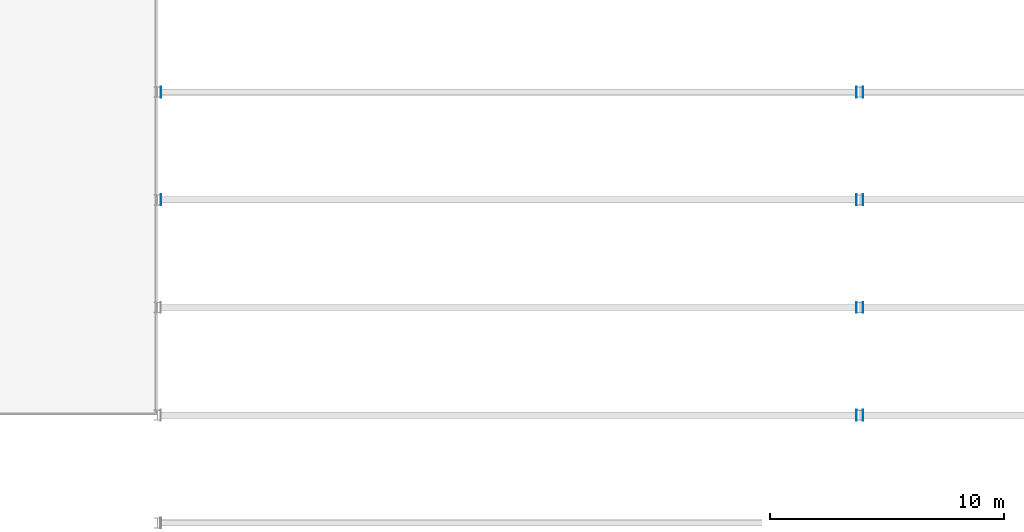
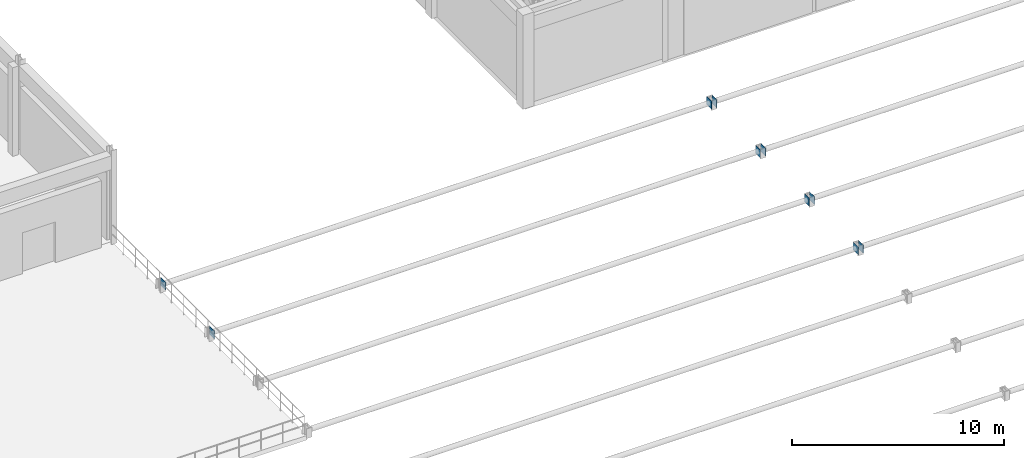
# One storey, part 25 of 38: 10 plates.
"""IFC4 building model written with IfcOpenShell, lengths in metres."""

from ifc_helpers import new_model, si_unit, direction, frame, origin, origin_2d, place, context, subcontext, project, spatial, rectangle, extrude, material, layer, layer_set, type_object, element, save


model = new_model("IFC4")

# Units and contexts
model_context = context("Model", 3, precision=1e-05, world=origin(), true_north=direction((0.0, 1.0)))
body_context = subcontext(model_context, "Body", "Model", "MODEL_VIEW")
ifc_project = project(units=[si_unit("LENGTHUNIT", "METRE"), si_unit("AREAUNIT", "SQUARE_METRE"), si_unit("VOLUMEUNIT", "CUBIC_METRE"), si_unit("PLANEANGLEUNIT", "RADIAN"), si_unit("MASSUNIT", "GRAM", prefix="KILO")], contexts=[model_context])

# Site, building, storey
site_placement = place(None, origin())
site = spatial("IfcSite", under=ifc_project, at=site_placement, CompositionType="ELEMENT")
building_placement = place(site_placement, origin())
building = spatial("IfcBuilding", under=site, at=building_placement, Name="Muzn Square Opera House", CompositionType="ELEMENT")
storey_placement = place(building_placement, frame((0.0, 0.0, 18.0)))
storey = spatial("IfcBuildingStorey", under=building, at=storey_placement, Name="L04", CompositionType="ELEMENT", Elevation=18.0)

# Plates
ifc_material = material(Name="Steel S355", Category="steel")
ifc_layer_1 = layer(ifc_material, 0.013916015625, Name="Steel S355", Category="steel")
ifc_layer_set_1 = layer_set([ifc_layer_1], Name="Steel S355")
plate_type_1 = type_object("IfcPlateType", Name="Gusset Plate 14mm 460x460", PredefinedType="USERDEFINED", material=ifc_layer_set_1)
plate_1_placement = place(storey_placement, frame((72.860107421875, 54.199951171875, 0.070068359375), z_axis=(0.0, 0.0, 1.0), x_axis=(1.0, 0.0, 0.0)))
element("IfcPlate", 1, at=plate_1_placement, inside=storey, type_object=plate_type_1, Name="Vault Tie End Gusset Plate V1-07-E", ObjectType="GUSSET PLATE", PredefinedType="USERDEFINED", context=body_context, shape_type="SweptSolid", body=[
    extrude(rectangle(XDim=0.013916015625, YDim=0.4599609375, at=origin_2d()), origin(), (0.0, 0.0, 1.0), 0.4599609375),
])
ifc_layer_2 = layer(ifc_material, 0.01611328125, Name="Steel S355", Category="steel")
ifc_layer_set_2 = layer_set([ifc_layer_2], Name="Steel S355")
plate_type_2 = type_object("IfcPlateType", Name="Gusset Plate 16mm 460x460", PredefinedType="USERDEFINED", material=ifc_layer_set_2)
for number, where, z_axis, x_axis, name in (
    (2, (72.860107421875, 58.800048828125, 0.070068359375), (0.0, 0.0, 1.0), (1.0, 0.0, 0.0), "Vault Tie End Gusset Plate V1-08-E"),
    (3, (73.139892578125, 54.199951171875, 0.070068359375), (0.0, 0.0, 1.0), (1.0, 0.0, 0.0), "Vault Tie End Gusset Plate V2-07-W"),
):
    element("IfcPlate", number, at=place(storey_placement, frame(where, z_axis=z_axis, x_axis=x_axis)), inside=storey, type_object=plate_type_2, Name=name, ObjectType="GUSSET PLATE", PredefinedType="USERDEFINED", context=body_context, shape_type="SweptSolid", body=[
        extrude(rectangle(XDim=0.01611328125, YDim=0.4599609375, at=origin_2d()), origin(), (0.0, 0.0, 1.0), 0.4599609375),
    ])
ifc_layer_3 = layer(ifc_material, 0.01806640625, Name="Steel S355", Category="steel")
ifc_layer_set_3 = layer_set([ifc_layer_3], Name="Steel S355")
plate_type_3 = type_object("IfcPlateType", Name="Gusset Plate 18mm 460x460", PredefinedType="USERDEFINED", material=ifc_layer_set_3)
for number, where, z_axis, x_axis, name in (
    (4, (43.139892578125, 63.39990234375, 0.070068359375), (0.0, 0.0, 1.0), (1.0, 0.0, 0.0), "Vault Tie End Gusset Plate V1-09-W"),
    (5, (72.860107421875, 63.39990234375, 0.070068359375), (0.0, 0.0, 1.0), (1.0, 0.0, 0.0), "Vault Tie End Gusset Plate V1-09-E"),
    (6, (73.139892578125, 58.800048828125, 0.070068359375), (0.0, 0.0, 1.0), (1.0, 0.0, 0.0), "Vault Tie End Gusset Plate V2-08-W"),
):
    element("IfcPlate", number, at=place(storey_placement, frame(where, z_axis=z_axis, x_axis=x_axis)), inside=storey, type_object=plate_type_3, Name=name, ObjectType="GUSSET PLATE", PredefinedType="USERDEFINED", context=body_context, shape_type="SweptSolid", body=[
        extrude(rectangle(XDim=0.01806640625, YDim=0.4599609375, at=origin_2d()), origin(), (0.0, 0.0, 1.0), 0.4599609375),
    ])
ifc_layer_4 = layer(ifc_material, 0.02001953125, Name="Steel S355", Category="steel")
ifc_layer_set_4 = layer_set([ifc_layer_4], Name="Steel S355")
plate_type_4 = type_object("IfcPlateType", Name="Gusset Plate 20mm 460x460", PredefinedType="USERDEFINED", material=ifc_layer_set_4)
for number, where, z_axis, x_axis, name in (
    (7, (43.139892578125, 68.0, 0.070068359375), (0.0, 0.0, 1.0), (1.0, 0.0, 0.0), "Vault Tie End Gusset Plate V1-10-W"),
    (8, (72.860107421875, 68.0, 0.070068359375), (0.0, 0.0, 1.0), (1.0, 0.0, 0.0), "Vault Tie End Gusset Plate V1-10-E"),
    (9, (73.139892578125, 63.39990234375, 0.070068359375), (0.0, 0.0, 1.0), (1.0, 0.0, 0.0), "Vault Tie End Gusset Plate V2-09-W"),
):
    element("IfcPlate", number, at=place(storey_placement, frame(where, z_axis=z_axis, x_axis=x_axis)), inside=storey, type_object=plate_type_4, Name=name, ObjectType="GUSSET PLATE", PredefinedType="USERDEFINED", context=body_context, shape_type="SweptSolid", body=[
        extrude(rectangle(XDim=0.02001953125, YDim=0.4599609375, at=origin_2d()), origin(), (0.0, 0.0, 1.0), 0.4599609375),
    ])
ifc_layer_5 = layer(ifc_material, 0.02392578125, Name="Steel S355", Category="steel")
ifc_layer_set_5 = layer_set([ifc_layer_5], Name="Steel S355")
plate_type_5 = type_object("IfcPlateType", Name="Gusset Plate 24mm 460x460", PredefinedType="USERDEFINED", material=ifc_layer_set_5)
plate_2_placement = place(storey_placement, frame((73.139892578125, 68.0, 0.070068359375), z_axis=(0.0, 0.0, 1.0), x_axis=(1.0, 0.0, 0.0)))
element("IfcPlate", 10, at=plate_2_placement, inside=storey, type_object=plate_type_5, Name="Vault Tie End Gusset Plate V2-10-W", ObjectType="GUSSET PLATE", PredefinedType="USERDEFINED", context=body_context, shape_type="SweptSolid", body=[
    extrude(rectangle(XDim=0.02392578125, YDim=0.4599609375, at=origin_2d()), origin(), (0.0, 0.0, 1.0), 0.4599609375),
])

save(model, "model.ifc")
